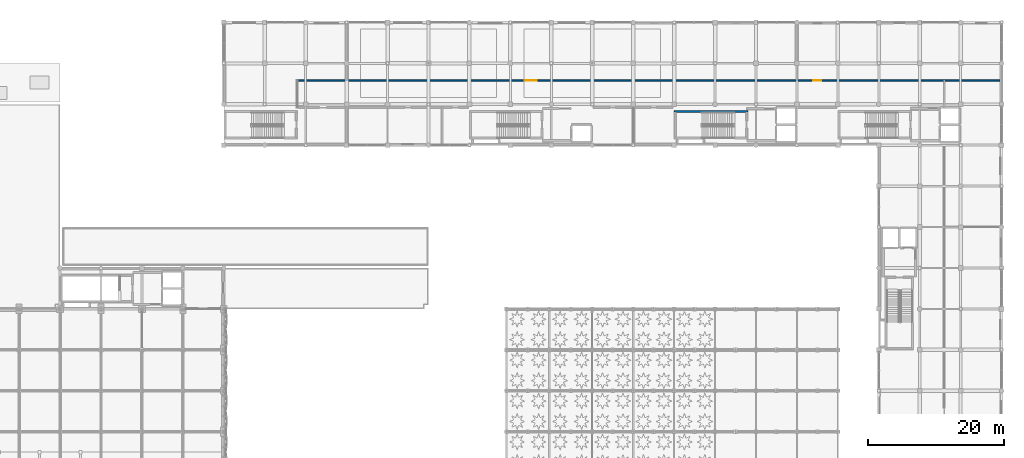
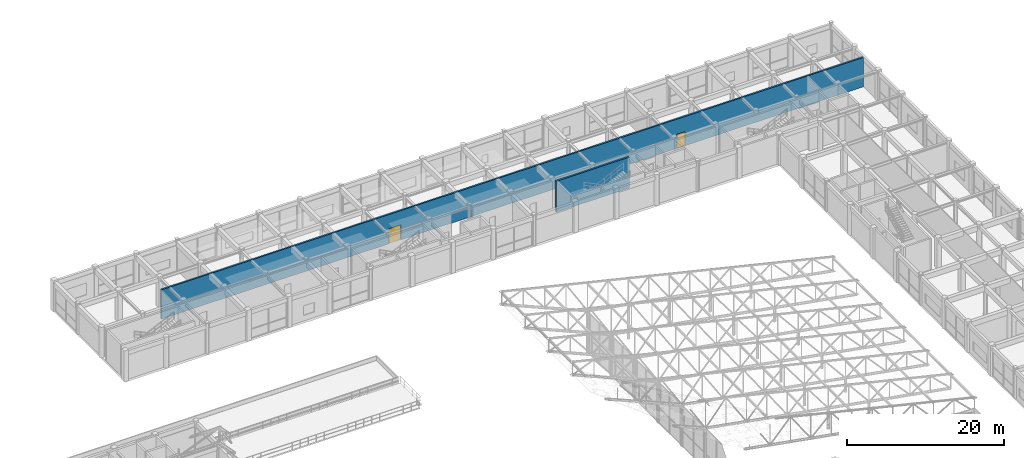
# One storey, part 98 of 112: 2 doors, 2 walls, 2 openings.
"""IFC4 building model written with IfcOpenShell, lengths in metres."""

from ifc_helpers import new_model, si_unit, direction, frame, frame_2d, origin, place, context, subcontext, project, spatial, rectangle, extrude, material, layer, layer_set, type_object, element, fill, save


model = new_model("IFC4")

# Units and contexts
model_context = context("Model", 3, precision=1e-05, world=origin(), true_north=direction((0.0, 1.0)))
body_context = subcontext(model_context, "Body", "Model", "MODEL_VIEW")
ifc_project = project(units=[si_unit("LENGTHUNIT", "METRE"), si_unit("AREAUNIT", "SQUARE_METRE"), si_unit("VOLUMEUNIT", "CUBIC_METRE"), si_unit("PLANEANGLEUNIT", "RADIAN"), si_unit("MASSUNIT", "GRAM", prefix="KILO"), si_unit("THERMODYNAMICTEMPERATUREUNIT", "KELVIN"), si_unit("POWERUNIT", "WATT")], contexts=[model_context])

# Site, building, storey
site_placement = place(None, origin())
site = spatial("IfcSite", under=ifc_project, at=site_placement, CompositionType="ELEMENT")
building_placement = place(site_placement, origin())
building = spatial("IfcBuilding", under=site, at=building_placement, Name="Phaisarnlok Congress Hotel", CompositionType="ELEMENT")
storey_placement = place(building_placement, frame((0.0, 0.0, 19.800048828125)))
storey = spatial("IfcBuildingStorey", under=building, at=storey_placement, Name="L04", CompositionType="ELEMENT", Elevation=19.800048828125)

# Wall, openings, doors
ifc_material_1 = material(Name="Concrete C40/50", Category="concrete")
ifc_layer_1 = layer(ifc_material_1, 0.239990234375, Name="Concrete C40/50")
ifc_layer_set_1 = layer_set([ifc_layer_1], Name="Concrete C40/50")
wall_type_1 = type_object("IfcWallType", Name="WL-INT-240", PredefinedType="PARTITIONING", material=ifc_layer_set_1)
wall_1_placement = place(storey_placement, frame((76.75, 117.5, 0.0), z_axis=(0.0, 0.0, 1.0), x_axis=(1.0, 0.0, 0.0)))
wall_1 = element("IfcWall", 1, at=wall_1_placement, inside=storey, type_object=wall_type_1, Name="Interior partition wall IW-01 (L04)", PredefinedType="PARTITIONING", context=body_context, shape_type="SweptSolid", body=[
    extrude(rectangle(XDim=103.014892578125, YDim=0.239990234375, at=frame_2d((51.50732421875, 0.0))), origin(), (0.0, 0.0, 1.0), 4.550048828125),
])
opening_1_placement = place(wall_1_placement, frame((33.35009765625, 0.0, 0.0)))
opening_1 = element("IfcOpeningElement", 2, at=opening_1_placement, cuts=wall_1, Name="Opening D-0130", PredefinedType="OPENING", context=body_context, shape_type="SweptSolid", body=[
    extrude(rectangle(XDim=1.800048828125, YDim=2.35009765625, at=frame_2d((0.89990234375, 1.175048828125))), frame((0.0, 0.1298828125, 0.0), z_axis=(0.0, -1.0, 0.0), x_axis=(1.0, 0.0, 0.0)), (0.0, 0.0, 1.0), 0.260009765625),
])
opening_2_placement = place(wall_1_placement, frame((75.64990234375, 0.0, 0.0)))
opening_2 = element("IfcOpeningElement", 3, at=opening_2_placement, cuts=wall_1, Name="Opening D-0131", PredefinedType="OPENING", context=body_context, shape_type="SweptSolid", body=[
    extrude(rectangle(XDim=1.199951171875, YDim=2.199951171875, at=frame_2d((0.60009765625, 1.10009765625))), frame((0.0, 0.1298828125, 0.0), z_axis=(0.0, -1.0, 0.0), x_axis=(1.0, 0.0, 0.0)), (0.0, 0.0, 1.0), 0.260009765625),
])
ifc_material_2 = material(Name="Fire-Rated Steel Frame & Timber Leaf", Category="steel")
door_type_1 = type_object("IfcDoorType", Name="DR-FD60-1200", OperationType="NOTDEFINED", PredefinedType="DOOR", material=ifc_material_2)
door_1_placement = place(opening_2_placement, origin())
door_1 = element("IfcDoor", 4, at=door_1_placement, inside=storey, type_object=door_type_1, Name="Interior door D-0131 (L04)", OperationType="SINGLE_SWING_RIGHT", OverallHeight=2.199951171875, OverallWidth=1.199951171875, PredefinedType="DOOR", context=body_context, shape_type="SweptSolid", body=[
    extrude(rectangle(XDim=1.199951171875, YDim=2.199951171875, at=frame_2d((0.60009765625, 1.10009765625))), frame((0.0, 0.02490234375, 0.0), z_axis=(0.0, -1.0, 0.0), x_axis=(1.0, 0.0, 0.0)), (0.0, 0.0, 1.0), 0.050048828125),
])
fill(opening_2, door_1)
ifc_material_3 = material(Name="Frameless Tempered Acoustic Glass", Category="glass")
door_type_2 = type_object("IfcDoorType", Name="DR-GLZ-1800", OperationType="DOUBLE_DOOR_SINGLE_SWING", PredefinedType="DOOR", material=ifc_material_3)
door_2_placement = place(opening_1_placement, origin())
door_2 = element("IfcDoor", 5, at=door_2_placement, inside=storey, type_object=door_type_2, Name="Interior door D-0130 (L04)", OperationType="DOUBLE_DOOR_SINGLE_SWING", OverallHeight=2.35009765625, OverallWidth=1.800048828125, PredefinedType="DOOR", context=body_context, shape_type="SweptSolid", body=[
    extrude(rectangle(XDim=1.800048828125, YDim=2.35009765625, at=frame_2d((0.89990234375, 1.175048828125))), frame((0.0, 0.02490234375, 0.0), z_axis=(0.0, -1.0, 0.0), x_axis=(1.0, 0.0, 0.0)), (0.0, 0.0, 1.0), 0.050048828125),
])
fill(opening_1, door_2)

# Wall
ifc_material_4 = material(Name="Concrete C50/60", Category="concrete")
ifc_layer_2 = layer(ifc_material_4, 0.260009765625, Name="Concrete C50/60")
ifc_layer_set_2 = layer_set([ifc_layer_2], Name="Concrete C50/60")
wall_type_2 = type_object("IfcWallType", Name="WL-SHR-260", PredefinedType="SHEAR", material=ifc_layer_set_2)
wall_2_placement = place(storey_placement, frame((132.0400390625, 112.929931640625, 0.0), z_axis=(0.0, 0.0, 1.0), x_axis=(1.0, 0.0, 0.0)))
element("IfcWall", 6, at=wall_2_placement, inside=storey, type_object=wall_type_2, Name="Stair shaft shear wall SW-04 (CORE-2 L04)", PredefinedType="SHEAR", context=body_context, shape_type="SweptSolid", body=[
    extrude(rectangle(XDim=10.719970703125, YDim=0.260009765625, at=frame_2d((5.35986328125, 0.0))), origin(), (0.0, 0.0, 1.0), 4.800048828125),
])

save(model, "model.ifc")
